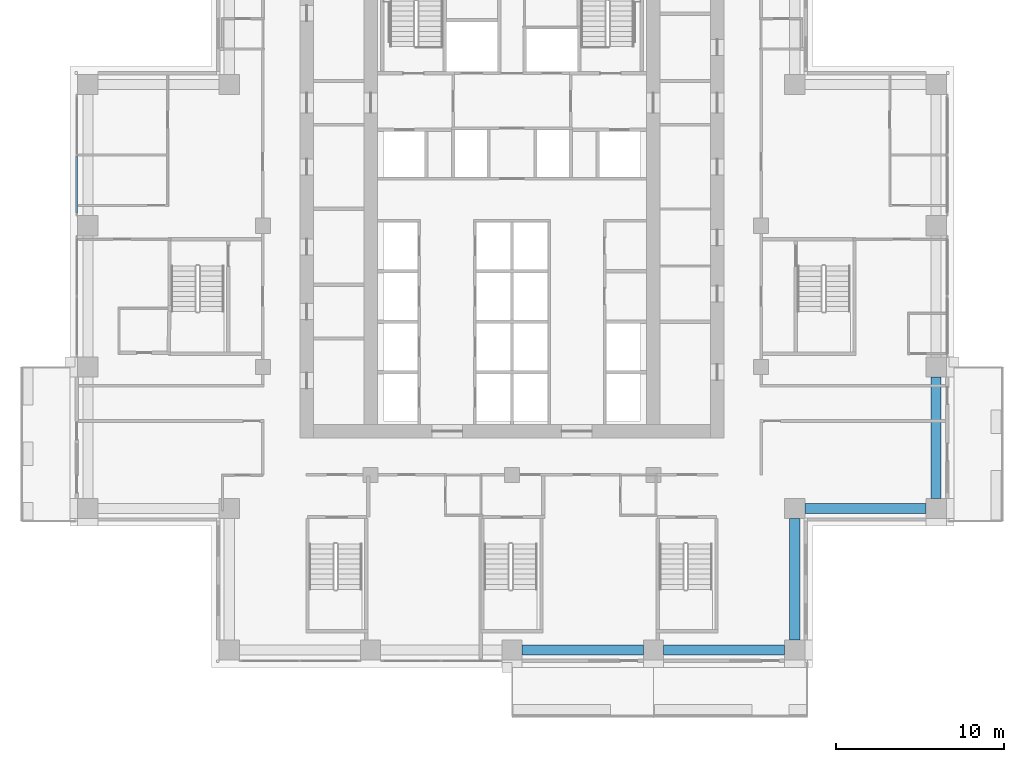
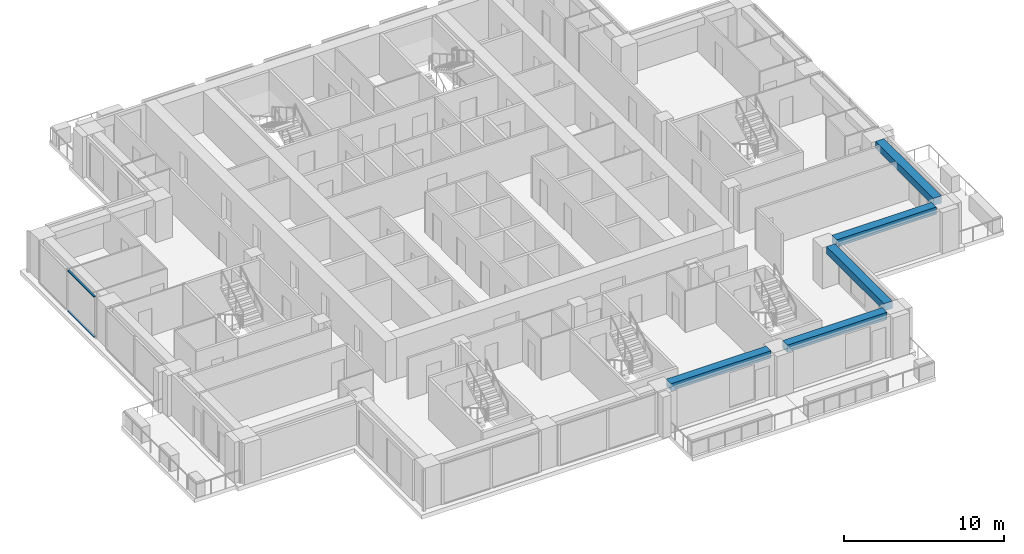
# One storey, part 3 of 18: 5 beams, 2 members, 1 element without a shape of its own.
"""IFC4 building model written with IfcOpenShell, lengths in metres."""

from ifc_helpers import new_model, si_unit, direction, frame, origin, origin_2d, place, context, subcontext, project, spatial, rectangle, extrude, material, material_profile, profile_set, type_object, element, aggregate, save


model = new_model("IFC4")

# Units and contexts
model_context = context("Model", 3, precision=1e-05, world=origin(), true_north=direction((0.0, 1.0)))
body_context = subcontext(model_context, "Body", "Model", "MODEL_VIEW")
ifc_project = project(units=[si_unit("LENGTHUNIT", "METRE"), si_unit("AREAUNIT", "SQUARE_METRE"), si_unit("VOLUMEUNIT", "CUBIC_METRE"), si_unit("PLANEANGLEUNIT", "RADIAN"), si_unit("MASSUNIT", "GRAM", prefix="KILO")], contexts=[model_context])

# Site, building, storey
site_placement = place(None, origin())
site = spatial("IfcSite", under=ifc_project, at=site_placement, CompositionType="ELEMENT")
building_placement = place(site_placement, origin())
building = spatial("IfcBuilding", under=site, at=building_placement, Name="Vermilion Ogive Tower", CompositionType="ELEMENT")
storey_placement = place(building_placement, frame((0.0, 0.0, 94.199951171875)))
storey = spatial("IfcBuildingStorey", under=building, at=storey_placement, Name="L23", CompositionType="ELEMENT", Elevation=94.199951171875)

# Curtain wall, members
ifc_material_1 = material(Name="Low-iron laminated glazing in aluminium frame", Category="aluminium")
curtain_wall_type = type_object("IfcCurtainWallType", Name="Curtain wall CW7", PredefinedType="NOTDEFINED", material=ifc_material_1)
curtain_wall_placement = place(storey_placement, origin())
curtain_wall = element("IfcCurtainWall", 1, at=curtain_wall_placement, inside=storey, type_object=curtain_wall_type, Name="Glazed skin W1", PredefinedType="NOTDEFINED")
ifc_material_2 = material(Name="Aluminium transom", Category="aluminium")
ifc_material_profile_1 = material_profile(ifc_material_2, rectangle(XDim=0.139892578125, YDim=0.06005859375, at=origin_2d()), Name="AL 60x140")
ifc_profile_set_1 = profile_set([ifc_material_profile_1], Name="Aluminium transom")
member_type = type_object("IfcMemberType", Name="CW7 transom 60x140", PredefinedType="USERDEFINED", material=ifc_profile_set_1)
member_1_placement = place(storey_placement, frame((-25.85009765625, 8.31005859375, 0.030029296875), z_axis=(0.0, -1.0, 0.0), x_axis=(1.0, 0.0, 0.0)))
member_1 = element("IfcMember", 2, at=member_1_placement, type_object=member_type, Name="CW7-W1 transom 2.1", ObjectType="TRANSOM", PredefinedType="USERDEFINED", context=body_context, shape_type="SweptSolid", body=[
    extrude(rectangle(XDim=0.139892578125, YDim=0.06005859375, at=origin_2d()), origin(), (0.0, 0.0, 1.0), 3.330078125),
])
member_2_placement = place(storey_placement, frame((-25.85009765625, 8.31005859375, 3.10009765625), z_axis=(0.0, -1.0, 0.0), x_axis=(1.0, 0.0, 0.0)))
member_2 = element("IfcMember", 3, at=member_2_placement, type_object=member_type, Name="CW7-W1 transom 2.2", ObjectType="TRANSOM", PredefinedType="USERDEFINED", context=body_context, shape_type="SweptSolid", body=[
    extrude(rectangle(XDim=0.139892578125, YDim=0.06005859375, at=origin_2d()), origin(), (0.0, 0.0, 1.0), 3.330078125),
])
aggregate(curtain_wall, [member_1, member_2])

# Beams
ifc_material_3 = material(Name="Concrete B45", Category="concrete")
ifc_material_profile_2 = material_profile(ifc_material_3, rectangle(XDim=0.60009765625, YDim=0.550048828125, at=origin_2d()), Name="600 x 550")
ifc_profile_set_2 = profile_set([ifc_material_profile_2], Name="Concrete B45")
beam_type = type_object("IfcBeamType", Name="Edge beam 600 x 550 B45", PredefinedType="BEAM", material=ifc_profile_set_2)
for number, where, z_axis, x_axis, name in (
    (4, (0.60009765625, -21.0, 2.85498046875), (1.0, 0.0, 0.0), (0.0, 1.0, 0.0), "L23-EB-3"),
    (5, (9.0, -21.0, 2.85498046875), (1.0, 0.0, 0.0), (0.0, 1.0, 0.0), "L23-EB-4"),
    (6, (16.800048828125, -20.39990234375, 2.85498046875), (0.0, 1.0, 0.0), (-1.0, 0.0, 0.0), "L23-EB-5"),
):
    element("IfcBeam", number, at=place(storey_placement, frame(where, z_axis=z_axis, x_axis=x_axis)), inside=storey, type_object=beam_type, Name=name, PredefinedType="BEAM", context=body_context, shape_type="SweptSolid", body=[
        extrude(rectangle(XDim=0.60009765625, YDim=0.550048828125, at=origin_2d()), origin(), (0.0, 0.0, 1.0), 7.199951171875),
    ])
beam_1_placement = place(storey_placement, frame((17.39990234375, -12.60009765625, 2.85498046875), z_axis=(1.0, 0.0, 0.0), x_axis=(0.0, 1.0, 0.0)))
element("IfcBeam", 7, at=beam_1_placement, inside=storey, type_object=beam_type, Name="L23-EB-6", PredefinedType="BEAM", context=body_context, shape_type="SweptSolid", body=[
    extrude(rectangle(XDim=0.60009765625, YDim=0.550048828125, at=origin_2d()), origin(), (0.0, 0.0, 1.0), 7.2001953125),
])
beam_2_placement = place(storey_placement, frame((25.199951171875, -12.0, 2.85498046875), z_axis=(0.0, 1.0, 0.0), x_axis=(-1.0, 0.0, 0.0)))
element("IfcBeam", 8, at=beam_2_placement, inside=storey, type_object=beam_type, Name="L23-EB-7", PredefinedType="BEAM", context=body_context, shape_type="SweptSolid", body=[
    extrude(rectangle(XDim=0.60009765625, YDim=0.550048828125, at=origin_2d()), origin(), (0.0, 0.0, 1.0), 7.199951171875),
])

save(model, "model.ifc")
